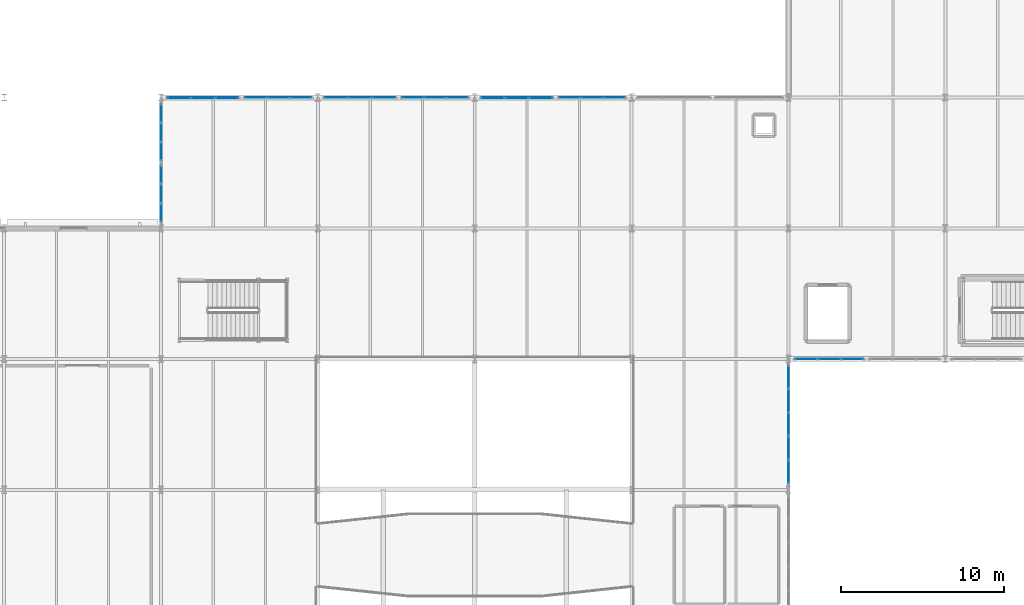
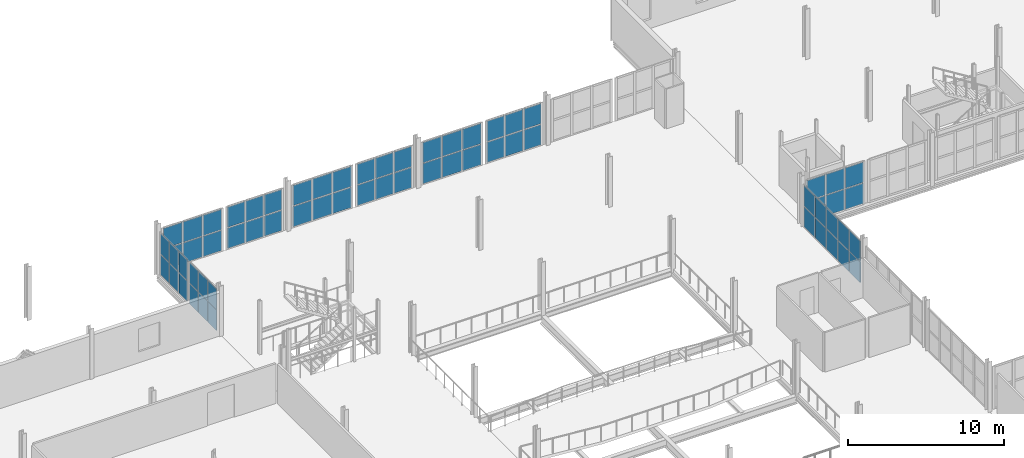
# One storey, part 61 of 85: 64 plates, 10 elements without a shape of their own.
"""IFC4 building model written with IfcOpenShell, lengths in metres."""

from ifc_helpers import new_model, si_unit, direction, frame, origin, origin_2d, place, context, subcontext, project, spatial, rectangle, extrude, material, layer, layer_set, type_object, element, aggregate, save


model = new_model("IFC4")

# Units and contexts
model_context = context("Model", 3, precision=1e-05, world=origin(), true_north=direction((0.0, 1.0)))
body_context = subcontext(model_context, "Body", "Model", "MODEL_VIEW")
ifc_project = project(units=[si_unit("LENGTHUNIT", "METRE"), si_unit("AREAUNIT", "SQUARE_METRE"), si_unit("VOLUMEUNIT", "CUBIC_METRE"), si_unit("PLANEANGLEUNIT", "RADIAN"), si_unit("MASSUNIT", "GRAM", prefix="KILO")], contexts=[model_context])

# Site, building, storey
site_placement = place(None, origin())
site = spatial("IfcSite", under=ifc_project, at=site_placement, CompositionType="ELEMENT")
building_placement = place(site_placement, origin())
building = spatial("IfcBuilding", under=site, at=building_placement, Name="Alderhovde Museum", CompositionType="ELEMENT")
storey_placement = place(building_placement, frame((0.0, 0.0, 8.699951171875)))
storey = spatial("IfcBuildingStorey", under=building, at=storey_placement, Name="L02", CompositionType="ELEMENT", Elevation=8.699951171875)

# Curtain wall, plates
ifc_material_1 = material(Name="Triple-Glazed Bronze-Anodised Curtain Wall", Category="glass")
ifc_layer_1 = layer(ifc_material_1, 0.179931640625)
ifc_layer_set_1 = layer_set([ifc_layer_1], Name="Triple-Glazed Bronze-Anodised Curtain Wall")
curtain_wall_type_1 = type_object("IfcCurtainWallType", Name="CW-UNIT-415x336", PredefinedType="USERDEFINED", material=ifc_layer_set_1)
curtain_wall_1_placement = place(storey_placement, origin())
curtain_wall_1 = element("IfcCurtainWall", 1, at=curtain_wall_1_placement, inside=storey, type_object=curtain_wall_type_1, Name="L02 Unitised Curtain Wall 28", ObjectType="UNITISED CURTAIN WALL", PredefinedType="USERDEFINED")
ifc_material_2 = material(Name="Triple-Glazed Low-E Laminated Glass", Category="glass")
ifc_layer_2 = layer(ifc_material_2, 0.028076171875)
ifc_layer_set_2 = layer_set([ifc_layer_2], Name="Triple-Glazed Low-E Laminated Glass")
plate_type_1 = type_object("IfcPlateType", Name="CWP-GLAZ-28", PredefinedType="CURTAIN_PANEL", material=ifc_layer_set_2)
plate_1_placement = place(storey_placement, frame((82.60791015625, 88.0, 0.06494140625), z_axis=(0.0, 0.0, 1.0), x_axis=(1.0, 0.0, 0.0)))
plate_1 = element("IfcPlate", 2, at=plate_1_placement, type_object=plate_type_1, Name="CW11 panel 1.1", PredefinedType="CURTAIN_PANEL", context=body_context, shape_type="SweptSolid", body=[
    extrude(rectangle(XDim=1.285888671875, YDim=0.028076171875, at=origin_2d()), origin(), (0.0, 0.0, 1.0), 1.58251953125),
])
plate_2_placement = place(storey_placement, frame((82.60791015625, 88.0, 1.712646484375), z_axis=(0.0, 0.0, 1.0), x_axis=(1.0, 0.0, 0.0)))
plate_2 = element("IfcPlate", 3, at=plate_2_placement, type_object=plate_type_1, Name="CW11 panel 1.2", PredefinedType="CURTAIN_PANEL", context=body_context, shape_type="SweptSolid", body=[
    extrude(rectangle(XDim=1.285888671875, YDim=0.028076171875, at=origin_2d()), origin(), (0.0, 0.0, 1.0), 1.58251953125),
])
plate_3_placement = place(storey_placement, frame((83.97509765625, 88.0, 0.06494140625), z_axis=(0.0, 0.0, 1.0), x_axis=(1.0, 0.0, 0.0)))
plate_3 = element("IfcPlate", 4, at=plate_3_placement, type_object=plate_type_1, Name="CW11 panel 2.1", PredefinedType="CURTAIN_PANEL", context=body_context, shape_type="SweptSolid", body=[
    extrude(rectangle(XDim=1.318359375, YDim=0.028076171875, at=origin_2d()), origin(), (0.0, 0.0, 1.0), 1.58251953125),
])
plate_4_placement = place(storey_placement, frame((83.97509765625, 88.0, 1.712646484375), z_axis=(0.0, 0.0, 1.0), x_axis=(1.0, 0.0, 0.0)))
plate_4 = element("IfcPlate", 5, at=plate_4_placement, type_object=plate_type_1, Name="CW11 panel 2.2", PredefinedType="CURTAIN_PANEL", context=body_context, shape_type="SweptSolid", body=[
    extrude(rectangle(XDim=1.318359375, YDim=0.028076171875, at=origin_2d()), origin(), (0.0, 0.0, 1.0), 1.58251953125),
])
plate_5_placement = place(storey_placement, frame((85.342041015625, 88.0, 0.06494140625), z_axis=(0.0, 0.0, 1.0), x_axis=(1.0, 0.0, 0.0)))
plate_5 = element("IfcPlate", 6, at=plate_5_placement, type_object=plate_type_1, Name="CW11 panel 3.1", PredefinedType="CURTAIN_PANEL", context=body_context, shape_type="SweptSolid", body=[
    extrude(rectangle(XDim=1.285888671875, YDim=0.028076171875, at=origin_2d()), origin(), (0.0, 0.0, 1.0), 1.58251953125),
])
plate_6_placement = place(storey_placement, frame((85.342041015625, 88.0, 1.712646484375), z_axis=(0.0, 0.0, 1.0), x_axis=(1.0, 0.0, 0.0)))
plate_6 = element("IfcPlate", 7, at=plate_6_placement, type_object=plate_type_1, Name="CW11 panel 3.2", PredefinedType="CURTAIN_PANEL", context=body_context, shape_type="SweptSolid", body=[
    extrude(rectangle(XDim=1.285888671875, YDim=0.028076171875, at=origin_2d()), origin(), (0.0, 0.0, 1.0), 1.58251953125),
])
aggregate(curtain_wall_1, [plate_1, plate_2, plate_3, plate_4, plate_5, plate_6])

curtain_wall_2_placement = place(storey_placement, origin())
curtain_wall_2 = element("IfcCurtainWall", 8, at=curtain_wall_2_placement, inside=storey, type_object=curtain_wall_type_1, Name="L02 Unitised Curtain Wall 32", ObjectType="UNITISED CURTAIN WALL", PredefinedType="USERDEFINED")
plate_7_placement = place(storey_placement, frame((101.807861328125, 88.0, 0.06494140625), z_axis=(0.0, 0.0, 1.0), x_axis=(1.0, 0.0, 0.0)))
plate_7 = element("IfcPlate", 9, at=plate_7_placement, type_object=plate_type_1, Name="CW11 panel 1.1", PredefinedType="CURTAIN_PANEL", context=body_context, shape_type="SweptSolid", body=[
    extrude(rectangle(XDim=1.285888671875, YDim=0.028076171875, at=origin_2d()), origin(), (0.0, 0.0, 1.0), 1.58251953125),
])
plate_8_placement = place(storey_placement, frame((101.807861328125, 88.0, 1.712646484375), z_axis=(0.0, 0.0, 1.0), x_axis=(1.0, 0.0, 0.0)))
plate_8 = element("IfcPlate", 10, at=plate_8_placement, type_object=plate_type_1, Name="CW11 panel 1.2", PredefinedType="CURTAIN_PANEL", context=body_context, shape_type="SweptSolid", body=[
    extrude(rectangle(XDim=1.285888671875, YDim=0.028076171875, at=origin_2d()), origin(), (0.0, 0.0, 1.0), 1.58251953125),
])
plate_9_placement = place(storey_placement, frame((103.175048828125, 88.0, 0.06494140625), z_axis=(0.0, 0.0, 1.0), x_axis=(1.0, 0.0, 0.0)))
plate_9 = element("IfcPlate", 11, at=plate_9_placement, type_object=plate_type_1, Name="CW11 panel 2.1", PredefinedType="CURTAIN_PANEL", context=body_context, shape_type="SweptSolid", body=[
    extrude(rectangle(XDim=1.318359375, YDim=0.028076171875, at=origin_2d()), origin(), (0.0, 0.0, 1.0), 1.58251953125),
])
plate_10_placement = place(storey_placement, frame((103.175048828125, 88.0, 1.712646484375), z_axis=(0.0, 0.0, 1.0), x_axis=(1.0, 0.0, 0.0)))
plate_10 = element("IfcPlate", 12, at=plate_10_placement, type_object=plate_type_1, Name="CW11 panel 2.2", PredefinedType="CURTAIN_PANEL", context=body_context, shape_type="SweptSolid", body=[
    extrude(rectangle(XDim=1.318359375, YDim=0.028076171875, at=origin_2d()), origin(), (0.0, 0.0, 1.0), 1.58251953125),
])
plate_11_placement = place(storey_placement, frame((104.5419921875, 88.0, 0.06494140625), z_axis=(0.0, 0.0, 1.0), x_axis=(1.0, 0.0, 0.0)))
plate_11 = element("IfcPlate", 13, at=plate_11_placement, type_object=plate_type_1, Name="CW11 panel 3.1", PredefinedType="CURTAIN_PANEL", context=body_context, shape_type="SweptSolid", body=[
    extrude(rectangle(XDim=1.285888671875, YDim=0.028076171875, at=origin_2d()), origin(), (0.0, 0.0, 1.0), 1.58251953125),
])
plate_12_placement = place(storey_placement, frame((104.5419921875, 88.0, 1.712646484375), z_axis=(0.0, 0.0, 1.0), x_axis=(1.0, 0.0, 0.0)))
plate_12 = element("IfcPlate", 14, at=plate_12_placement, type_object=plate_type_1, Name="CW11 panel 3.2", PredefinedType="CURTAIN_PANEL", context=body_context, shape_type="SweptSolid", body=[
    extrude(rectangle(XDim=1.285888671875, YDim=0.028076171875, at=origin_2d()), origin(), (0.0, 0.0, 1.0), 1.58251953125),
])
aggregate(curtain_wall_2, [plate_7, plate_8, plate_9, plate_10, plate_11, plate_12])

ifc_material_3 = material(Name="Triple-Glazed Bronze-Anodised Curtain Wall", Category="glass")
ifc_layer_3 = layer(ifc_material_3, 0.179931640625)
ifc_layer_set_3 = layer_set([ifc_layer_3], Name="Triple-Glazed Bronze-Anodised Curtain Wall")
curtain_wall_type_2 = type_object("IfcCurtainWallType", Name="CW-STIC-355x336", PredefinedType="USERDEFINED", material=ifc_layer_set_3)
curtain_wall_3_placement = place(storey_placement, origin())
curtain_wall_3 = element("IfcCurtainWall", 15, at=curtain_wall_3_placement, inside=storey, type_object=curtain_wall_type_2, Name="L02 Stick Curtain Wall 44", ObjectType="STICK CURTAIN WALL", PredefinedType="USERDEFINED")
plate_13_placement = place(storey_placement, frame((76.800048828125, 84.7080078125, 0.06494140625), z_axis=(0.0, 0.0, 1.0), x_axis=(0.0, 1.0, 0.0)))
plate_13 = element("IfcPlate", 16, at=plate_13_placement, type_object=plate_type_1, Name="CW13 panel 1.1", PredefinedType="CURTAIN_PANEL", context=body_context, shape_type="SweptSolid", body=[
    extrude(rectangle(XDim=1.0859375, YDim=0.028076171875, at=origin_2d()), origin(), (0.0, 0.0, 1.0), 1.58251953125),
])
plate_14_placement = place(storey_placement, frame((76.800048828125, 84.7080078125, 1.712646484375), z_axis=(0.0, 0.0, 1.0), x_axis=(0.0, 1.0, 0.0)))
plate_14 = element("IfcPlate", 17, at=plate_14_placement, type_object=plate_type_1, Name="CW13 panel 1.2", PredefinedType="CURTAIN_PANEL", context=body_context, shape_type="SweptSolid", body=[
    extrude(rectangle(XDim=1.0859375, YDim=0.028076171875, at=origin_2d()), origin(), (0.0, 0.0, 1.0), 1.58251953125),
])
plate_15_placement = place(storey_placement, frame((76.800048828125, 85.875, 0.06494140625), z_axis=(0.0, 0.0, 1.0), x_axis=(0.0, 1.0, 0.0)))
plate_15 = element("IfcPlate", 18, at=plate_15_placement, type_object=plate_type_1, Name="CW13 panel 2.1", PredefinedType="CURTAIN_PANEL", context=body_context, shape_type="SweptSolid", body=[
    extrude(rectangle(XDim=1.118408203125, YDim=0.028076171875, at=origin_2d()), origin(), (0.0, 0.0, 1.0), 1.58251953125),
])
plate_16_placement = place(storey_placement, frame((76.800048828125, 85.875, 1.712646484375), z_axis=(0.0, 0.0, 1.0), x_axis=(0.0, 1.0, 0.0)))
plate_16 = element("IfcPlate", 19, at=plate_16_placement, type_object=plate_type_1, Name="CW13 panel 2.2", PredefinedType="CURTAIN_PANEL", context=body_context, shape_type="SweptSolid", body=[
    extrude(rectangle(XDim=1.118408203125, YDim=0.028076171875, at=origin_2d()), origin(), (0.0, 0.0, 1.0), 1.58251953125),
])
plate_17_placement = place(storey_placement, frame((76.800048828125, 87.0419921875, 0.06494140625), z_axis=(0.0, 0.0, 1.0), x_axis=(0.0, 1.0, 0.0)))
plate_17 = element("IfcPlate", 20, at=plate_17_placement, type_object=plate_type_1, Name="CW13 panel 3.1", PredefinedType="CURTAIN_PANEL", context=body_context, shape_type="SweptSolid", body=[
    extrude(rectangle(XDim=1.0859375, YDim=0.028076171875, at=origin_2d()), origin(), (0.0, 0.0, 1.0), 1.58251953125),
])
plate_18_placement = place(storey_placement, frame((76.800048828125, 87.0419921875, 1.712646484375), z_axis=(0.0, 0.0, 1.0), x_axis=(0.0, 1.0, 0.0)))
plate_18 = element("IfcPlate", 21, at=plate_18_placement, type_object=plate_type_1, Name="CW13 panel 3.2", PredefinedType="CURTAIN_PANEL", context=body_context, shape_type="SweptSolid", body=[
    extrude(rectangle(XDim=1.0859375, YDim=0.028076171875, at=origin_2d()), origin(), (0.0, 0.0, 1.0), 1.58251953125),
])
aggregate(curtain_wall_3, [plate_13, plate_14, plate_15, plate_16, plate_17, plate_18])

ifc_material_4 = material(Name="Triple-Glazed Bronze-Anodised Curtain Wall", Category="glass")
ifc_layer_4 = layer(ifc_material_4, 0.179931640625)
ifc_layer_set_4 = layer_set([ifc_layer_4], Name="Triple-Glazed Bronze-Anodised Curtain Wall")
curtain_wall_type_3 = type_object("IfcCurtainWallType", Name="CW-UNIT-445x336", PredefinedType="USERDEFINED", material=ifc_layer_set_4)
curtain_wall_4_placement = place(storey_placement, origin())
curtain_wall_4 = element("IfcCurtainWall", 22, at=curtain_wall_4_placement, inside=storey, type_object=curtain_wall_type_3, Name="L02 Unitised Curtain Wall 29", ObjectType="UNITISED CURTAIN WALL", PredefinedType="USERDEFINED")
ifc_material_5 = material(Name="Triple-Glazed Low-E Laminated Glass", Category="glass")
ifc_layer_5 = layer(ifc_material_5, 0.035888671875)
ifc_layer_set_5 = layer_set([ifc_layer_5], Name="Triple-Glazed Low-E Laminated Glass")
plate_type_2 = type_object("IfcPlateType", Name="CWP-GLAZ-36", PredefinedType="CURTAIN_PANEL", material=ifc_layer_set_5)
plate_19_placement = place(storey_placement, frame((87.5078125, 88.0, 0.06494140625), z_axis=(0.0, 0.0, 1.0), x_axis=(1.0, 0.0, 0.0)))
plate_19 = element("IfcPlate", 23, at=plate_19_placement, type_object=plate_type_2, Name="CW10 panel 1.1", PredefinedType="CURTAIN_PANEL", context=body_context, shape_type="SweptSolid", body=[
    extrude(rectangle(XDim=1.3857421875, YDim=0.035888671875, at=origin_2d()), origin(), (0.0, 0.0, 1.0), 1.58251953125),
])
plate_20_placement = place(storey_placement, frame((87.5078125, 88.0, 1.712646484375), z_axis=(0.0, 0.0, 1.0), x_axis=(1.0, 0.0, 0.0)))
plate_20 = element("IfcPlate", 24, at=plate_20_placement, type_object=plate_type_2, Name="CW10 panel 1.2", PredefinedType="CURTAIN_PANEL", context=body_context, shape_type="SweptSolid", body=[
    extrude(rectangle(XDim=1.3857421875, YDim=0.035888671875, at=origin_2d()), origin(), (0.0, 0.0, 1.0), 1.58251953125),
])
plate_21_placement = place(storey_placement, frame((88.97509765625, 88.0, 0.06494140625), z_axis=(0.0, 0.0, 1.0), x_axis=(1.0, 0.0, 0.0)))
plate_21 = element("IfcPlate", 25, at=plate_21_placement, type_object=plate_type_2, Name="CW10 panel 2.1", PredefinedType="CURTAIN_PANEL", context=body_context, shape_type="SweptSolid", body=[
    extrude(rectangle(XDim=1.418212890625, YDim=0.035888671875, at=origin_2d()), origin(), (0.0, 0.0, 1.0), 1.58251953125),
])
plate_22_placement = place(storey_placement, frame((88.97509765625, 88.0, 1.712646484375), z_axis=(0.0, 0.0, 1.0), x_axis=(1.0, 0.0, 0.0)))
plate_22 = element("IfcPlate", 26, at=plate_22_placement, type_object=plate_type_2, Name="CW10 panel 2.2", PredefinedType="CURTAIN_PANEL", context=body_context, shape_type="SweptSolid", body=[
    extrude(rectangle(XDim=1.418212890625, YDim=0.035888671875, at=origin_2d()), origin(), (0.0, 0.0, 1.0), 1.58251953125),
])
plate_23_placement = place(storey_placement, frame((90.442138671875, 88.0, 0.06494140625), z_axis=(0.0, 0.0, 1.0), x_axis=(1.0, 0.0, 0.0)))
plate_23 = element("IfcPlate", 27, at=plate_23_placement, type_object=plate_type_2, Name="CW10 panel 3.1", PredefinedType="CURTAIN_PANEL", context=body_context, shape_type="SweptSolid", body=[
    extrude(rectangle(XDim=1.3857421875, YDim=0.035888671875, at=origin_2d()), origin(), (0.0, 0.0, 1.0), 1.58251953125),
])
plate_24_placement = place(storey_placement, frame((90.442138671875, 88.0, 1.712646484375), z_axis=(0.0, 0.0, 1.0), x_axis=(1.0, 0.0, 0.0)))
plate_24 = element("IfcPlate", 28, at=plate_24_placement, type_object=plate_type_2, Name="CW10 panel 3.2", PredefinedType="CURTAIN_PANEL", context=body_context, shape_type="SweptSolid", body=[
    extrude(rectangle(XDim=1.3857421875, YDim=0.035888671875, at=origin_2d()), origin(), (0.0, 0.0, 1.0), 1.58251953125),
])
aggregate(curtain_wall_4, [plate_19, plate_20, plate_21, plate_22, plate_23, plate_24])

curtain_wall_5_placement = place(storey_placement, origin())
curtain_wall_5 = element("IfcCurtainWall", 29, at=curtain_wall_5_placement, inside=storey, type_object=curtain_wall_type_1, Name="L02 Unitised Curtain Wall 30", ObjectType="UNITISED CURTAIN WALL", PredefinedType="USERDEFINED")
ifc_material_6 = material(Name="Triple-Glazed Low-E Laminated Glass", Category="glass")
ifc_layer_6 = layer(ifc_material_6, 0.0439453125)
ifc_layer_set_6 = layer_set([ifc_layer_6], Name="Triple-Glazed Low-E Laminated Glass")
plate_type_3 = type_object("IfcPlateType", Name="CWP-GLAZ-44", PredefinedType="CURTAIN_PANEL", material=ifc_layer_set_6)
plate_25_placement = place(storey_placement, frame((92.2080078125, 88.0, 0.06494140625), z_axis=(0.0, 0.0, 1.0), x_axis=(1.0, 0.0, 0.0)))
plate_25 = element("IfcPlate", 30, at=plate_25_placement, type_object=plate_type_3, Name="CW11 panel 1.1", PredefinedType="CURTAIN_PANEL", context=body_context, shape_type="SweptSolid", body=[
    extrude(rectangle(XDim=1.285888671875, YDim=0.0439453125, at=origin_2d()), origin(), (0.0, 0.0, 1.0), 1.58251953125),
])
plate_26_placement = place(storey_placement, frame((92.2080078125, 88.0, 1.712646484375), z_axis=(0.0, 0.0, 1.0), x_axis=(1.0, 0.0, 0.0)))
plate_26 = element("IfcPlate", 31, at=plate_26_placement, type_object=plate_type_3, Name="CW11 panel 1.2", PredefinedType="CURTAIN_PANEL", context=body_context, shape_type="SweptSolid", body=[
    extrude(rectangle(XDim=1.285888671875, YDim=0.0439453125, at=origin_2d()), origin(), (0.0, 0.0, 1.0), 1.58251953125),
])
plate_27_placement = place(storey_placement, frame((93.574951171875, 88.0, 0.06494140625), z_axis=(0.0, 0.0, 1.0), x_axis=(1.0, 0.0, 0.0)))
plate_27 = element("IfcPlate", 32, at=plate_27_placement, type_object=plate_type_3, Name="CW11 panel 2.1", PredefinedType="CURTAIN_PANEL", context=body_context, shape_type="SweptSolid", body=[
    extrude(rectangle(XDim=1.318359375, YDim=0.0439453125, at=origin_2d()), origin(), (0.0, 0.0, 1.0), 1.58251953125),
])
plate_28_placement = place(storey_placement, frame((93.574951171875, 88.0, 1.712646484375), z_axis=(0.0, 0.0, 1.0), x_axis=(1.0, 0.0, 0.0)))
plate_28 = element("IfcPlate", 33, at=plate_28_placement, type_object=plate_type_3, Name="CW11 panel 2.2", PredefinedType="CURTAIN_PANEL", context=body_context, shape_type="SweptSolid", body=[
    extrude(rectangle(XDim=1.318359375, YDim=0.0439453125, at=origin_2d()), origin(), (0.0, 0.0, 1.0), 1.58251953125),
])
plate_29_placement = place(storey_placement, frame((94.942138671875, 88.0, 0.06494140625), z_axis=(0.0, 0.0, 1.0), x_axis=(1.0, 0.0, 0.0)))
plate_29 = element("IfcPlate", 34, at=plate_29_placement, type_object=plate_type_3, Name="CW11 panel 3.1", PredefinedType="CURTAIN_PANEL", context=body_context, shape_type="SweptSolid", body=[
    extrude(rectangle(XDim=1.285888671875, YDim=0.0439453125, at=origin_2d()), origin(), (0.0, 0.0, 1.0), 1.58251953125),
])
plate_30_placement = place(storey_placement, frame((94.942138671875, 88.0, 1.712646484375), z_axis=(0.0, 0.0, 1.0), x_axis=(1.0, 0.0, 0.0)))
plate_30 = element("IfcPlate", 35, at=plate_30_placement, type_object=plate_type_3, Name="CW11 panel 3.2", PredefinedType="CURTAIN_PANEL", context=body_context, shape_type="SweptSolid", body=[
    extrude(rectangle(XDim=1.285888671875, YDim=0.0439453125, at=origin_2d()), origin(), (0.0, 0.0, 1.0), 1.58251953125),
])
aggregate(curtain_wall_5, [plate_25, plate_26, plate_27, plate_28, plate_29, plate_30])

curtain_wall_6_placement = place(storey_placement, origin())
curtain_wall_6 = element("IfcCurtainWall", 36, at=curtain_wall_6_placement, inside=storey, type_object=curtain_wall_type_3, Name="L02 Unitised Curtain Wall 27", ObjectType="UNITISED CURTAIN WALL", PredefinedType="USERDEFINED")
ifc_material_7 = material(Name="Triple-Glazed Low-E Laminated Glass", Category="glass")
ifc_layer_7 = layer(ifc_material_7, 0.052001953125)
ifc_layer_set_7 = layer_set([ifc_layer_7], Name="Triple-Glazed Low-E Laminated Glass")
plate_type_4 = type_object("IfcPlateType", Name="CWP-GLAZ-52", PredefinedType="CURTAIN_PANEL", material=ifc_layer_set_7)
plate_31_placement = place(storey_placement, frame((77.907958984375, 88.0, 0.06494140625), z_axis=(0.0, 0.0, 1.0), x_axis=(1.0, 0.0, 0.0)))
plate_31 = element("IfcPlate", 37, at=plate_31_placement, type_object=plate_type_4, Name="CW10 panel 1.1", PredefinedType="CURTAIN_PANEL", context=body_context, shape_type="SweptSolid", body=[
    extrude(rectangle(XDim=1.3857421875, YDim=0.052001953125, at=origin_2d()), origin(), (0.0, 0.0, 1.0), 1.58251953125),
])
plate_32_placement = place(storey_placement, frame((77.907958984375, 88.0, 1.712646484375), z_axis=(0.0, 0.0, 1.0), x_axis=(1.0, 0.0, 0.0)))
plate_32 = element("IfcPlate", 38, at=plate_32_placement, type_object=plate_type_4, Name="CW10 panel 1.2", PredefinedType="CURTAIN_PANEL", context=body_context, shape_type="SweptSolid", body=[
    extrude(rectangle(XDim=1.3857421875, YDim=0.052001953125, at=origin_2d()), origin(), (0.0, 0.0, 1.0), 1.58251953125),
])
plate_33_placement = place(storey_placement, frame((79.375, 88.0, 0.06494140625), z_axis=(0.0, 0.0, 1.0), x_axis=(1.0, 0.0, 0.0)))
plate_33 = element("IfcPlate", 39, at=plate_33_placement, type_object=plate_type_4, Name="CW10 panel 2.1", PredefinedType="CURTAIN_PANEL", context=body_context, shape_type="SweptSolid", body=[
    extrude(rectangle(XDim=1.418212890625, YDim=0.052001953125, at=origin_2d()), origin(), (0.0, 0.0, 1.0), 1.58251953125),
])
plate_34_placement = place(storey_placement, frame((79.375, 88.0, 1.712646484375), z_axis=(0.0, 0.0, 1.0), x_axis=(1.0, 0.0, 0.0)))
plate_34 = element("IfcPlate", 40, at=plate_34_placement, type_object=plate_type_4, Name="CW10 panel 2.2", PredefinedType="CURTAIN_PANEL", context=body_context, shape_type="SweptSolid", body=[
    extrude(rectangle(XDim=1.418212890625, YDim=0.052001953125, at=origin_2d()), origin(), (0.0, 0.0, 1.0), 1.58251953125),
])
plate_35_placement = place(storey_placement, frame((80.842041015625, 88.0, 0.06494140625), z_axis=(0.0, 0.0, 1.0), x_axis=(1.0, 0.0, 0.0)))
plate_35 = element("IfcPlate", 41, at=plate_35_placement, type_object=plate_type_4, Name="CW10 panel 3.1", PredefinedType="CURTAIN_PANEL", context=body_context, shape_type="SweptSolid", body=[
    extrude(rectangle(XDim=1.3857421875, YDim=0.052001953125, at=origin_2d()), origin(), (0.0, 0.0, 1.0), 1.58251953125),
])
plate_36_placement = place(storey_placement, frame((80.842041015625, 88.0, 1.712646484375), z_axis=(0.0, 0.0, 1.0), x_axis=(1.0, 0.0, 0.0)))
plate_36 = element("IfcPlate", 42, at=plate_36_placement, type_object=plate_type_4, Name="CW10 panel 3.2", PredefinedType="CURTAIN_PANEL", context=body_context, shape_type="SweptSolid", body=[
    extrude(rectangle(XDim=1.3857421875, YDim=0.052001953125, at=origin_2d()), origin(), (0.0, 0.0, 1.0), 1.58251953125),
])
aggregate(curtain_wall_6, [plate_31, plate_32, plate_33, plate_34, plate_35, plate_36])

curtain_wall_7_placement = place(storey_placement, origin())
curtain_wall_7 = element("IfcCurtainWall", 43, at=curtain_wall_7_placement, inside=storey, type_object=curtain_wall_type_3, Name="L02 Unitised Curtain Wall 31", ObjectType="UNITISED CURTAIN WALL", PredefinedType="USERDEFINED")
plate_37_placement = place(storey_placement, frame((97.10791015625, 88.0, 0.06494140625), z_axis=(0.0, 0.0, 1.0), x_axis=(1.0, 0.0, 0.0)))
plate_37 = element("IfcPlate", 44, at=plate_37_placement, type_object=plate_type_4, Name="CW10 panel 1.1", PredefinedType="CURTAIN_PANEL", context=body_context, shape_type="SweptSolid", body=[
    extrude(rectangle(XDim=1.3857421875, YDim=0.052001953125, at=origin_2d()), origin(), (0.0, 0.0, 1.0), 1.58251953125),
])
plate_38_placement = place(storey_placement, frame((97.10791015625, 88.0, 1.712646484375), z_axis=(0.0, 0.0, 1.0), x_axis=(1.0, 0.0, 0.0)))
plate_38 = element("IfcPlate", 45, at=plate_38_placement, type_object=plate_type_4, Name="CW10 panel 1.2", PredefinedType="CURTAIN_PANEL", context=body_context, shape_type="SweptSolid", body=[
    extrude(rectangle(XDim=1.3857421875, YDim=0.052001953125, at=origin_2d()), origin(), (0.0, 0.0, 1.0), 1.58251953125),
])
plate_39_placement = place(storey_placement, frame((98.574951171875, 88.0, 0.06494140625), z_axis=(0.0, 0.0, 1.0), x_axis=(1.0, 0.0, 0.0)))
plate_39 = element("IfcPlate", 46, at=plate_39_placement, type_object=plate_type_4, Name="CW10 panel 2.1", PredefinedType="CURTAIN_PANEL", context=body_context, shape_type="SweptSolid", body=[
    extrude(rectangle(XDim=1.418212890625, YDim=0.052001953125, at=origin_2d()), origin(), (0.0, 0.0, 1.0), 1.58251953125),
])
plate_40_placement = place(storey_placement, frame((98.574951171875, 88.0, 1.712646484375), z_axis=(0.0, 0.0, 1.0), x_axis=(1.0, 0.0, 0.0)))
plate_40 = element("IfcPlate", 47, at=plate_40_placement, type_object=plate_type_4, Name="CW10 panel 2.2", PredefinedType="CURTAIN_PANEL", context=body_context, shape_type="SweptSolid", body=[
    extrude(rectangle(XDim=1.418212890625, YDim=0.052001953125, at=origin_2d()), origin(), (0.0, 0.0, 1.0), 1.58251953125),
])
plate_41_placement = place(storey_placement, frame((100.0419921875, 88.0, 0.06494140625), z_axis=(0.0, 0.0, 1.0), x_axis=(1.0, 0.0, 0.0)))
plate_41 = element("IfcPlate", 48, at=plate_41_placement, type_object=plate_type_4, Name="CW10 panel 3.1", PredefinedType="CURTAIN_PANEL", context=body_context, shape_type="SweptSolid", body=[
    extrude(rectangle(XDim=1.3857421875, YDim=0.052001953125, at=origin_2d()), origin(), (0.0, 0.0, 1.0), 1.58251953125),
])
plate_42_placement = place(storey_placement, frame((100.0419921875, 88.0, 1.712646484375), z_axis=(0.0, 0.0, 1.0), x_axis=(1.0, 0.0, 0.0)))
plate_42 = element("IfcPlate", 49, at=plate_42_placement, type_object=plate_type_4, Name="CW10 panel 3.2", PredefinedType="CURTAIN_PANEL", context=body_context, shape_type="SweptSolid", body=[
    extrude(rectangle(XDim=1.3857421875, YDim=0.052001953125, at=origin_2d()), origin(), (0.0, 0.0, 1.0), 1.58251953125),
])
aggregate(curtain_wall_7, [plate_37, plate_38, plate_39, plate_40, plate_41, plate_42])

curtain_wall_8_placement = place(storey_placement, origin())
curtain_wall_8 = element("IfcCurtainWall", 50, at=curtain_wall_8_placement, inside=storey, type_object=curtain_wall_type_2, Name="L02 Stick Curtain Wall 43", ObjectType="STICK CURTAIN WALL", PredefinedType="USERDEFINED")
plate_43_placement = place(storey_placement, frame((76.800048828125, 80.9580078125, 0.06494140625), z_axis=(0.0, 0.0, 1.0), x_axis=(0.0, 1.0, 0.0)))
plate_43 = element("IfcPlate", 51, at=plate_43_placement, type_object=plate_type_4, Name="CW13 panel 1.1", PredefinedType="CURTAIN_PANEL", context=body_context, shape_type="SweptSolid", body=[
    extrude(rectangle(XDim=1.0859375, YDim=0.052001953125, at=origin_2d()), origin(), (0.0, 0.0, 1.0), 1.58251953125),
])
plate_44_placement = place(storey_placement, frame((76.800048828125, 80.9580078125, 1.712646484375), z_axis=(0.0, 0.0, 1.0), x_axis=(0.0, 1.0, 0.0)))
plate_44 = element("IfcPlate", 52, at=plate_44_placement, type_object=plate_type_4, Name="CW13 panel 1.2", PredefinedType="CURTAIN_PANEL", context=body_context, shape_type="SweptSolid", body=[
    extrude(rectangle(XDim=1.0859375, YDim=0.052001953125, at=origin_2d()), origin(), (0.0, 0.0, 1.0), 1.58251953125),
])
plate_45_placement = place(storey_placement, frame((76.800048828125, 82.125, 0.06494140625), z_axis=(0.0, 0.0, 1.0), x_axis=(0.0, 1.0, 0.0)))
plate_45 = element("IfcPlate", 53, at=plate_45_placement, type_object=plate_type_4, Name="CW13 panel 2.1", PredefinedType="CURTAIN_PANEL", context=body_context, shape_type="SweptSolid", body=[
    extrude(rectangle(XDim=1.118408203125, YDim=0.052001953125, at=origin_2d()), origin(), (0.0, 0.0, 1.0), 1.58251953125),
])
plate_46_placement = place(storey_placement, frame((76.800048828125, 82.125, 1.712646484375), z_axis=(0.0, 0.0, 1.0), x_axis=(0.0, 1.0, 0.0)))
plate_46 = element("IfcPlate", 54, at=plate_46_placement, type_object=plate_type_4, Name="CW13 panel 2.2", PredefinedType="CURTAIN_PANEL", context=body_context, shape_type="SweptSolid", body=[
    extrude(rectangle(XDim=1.118408203125, YDim=0.052001953125, at=origin_2d()), origin(), (0.0, 0.0, 1.0), 1.58251953125),
])
plate_47_placement = place(storey_placement, frame((76.800048828125, 83.2919921875, 0.06494140625), z_axis=(0.0, 0.0, 1.0), x_axis=(0.0, 1.0, 0.0)))
plate_47 = element("IfcPlate", 55, at=plate_47_placement, type_object=plate_type_4, Name="CW13 panel 3.1", PredefinedType="CURTAIN_PANEL", context=body_context, shape_type="SweptSolid", body=[
    extrude(rectangle(XDim=1.0859375, YDim=0.052001953125, at=origin_2d()), origin(), (0.0, 0.0, 1.0), 1.58251953125),
])
plate_48_placement = place(storey_placement, frame((76.800048828125, 83.2919921875, 1.712646484375), z_axis=(0.0, 0.0, 1.0), x_axis=(0.0, 1.0, 0.0)))
plate_48 = element("IfcPlate", 56, at=plate_48_placement, type_object=plate_type_4, Name="CW13 panel 3.2", PredefinedType="CURTAIN_PANEL", context=body_context, shape_type="SweptSolid", body=[
    extrude(rectangle(XDim=1.0859375, YDim=0.052001953125, at=origin_2d()), origin(), (0.0, 0.0, 1.0), 1.58251953125),
])
aggregate(curtain_wall_8, [plate_43, plate_44, plate_45, plate_46, plate_47, plate_48])

ifc_material_8 = material(Name="Triple-Glazed Bronze-Anodised Curtain Wall", Category="glass")
ifc_layer_8 = layer(ifc_material_8, 0.179931640625)
ifc_layer_set_8 = layer_set([ifc_layer_8], Name="Triple-Glazed Bronze-Anodised Curtain Wall")
curtain_wall_type_4 = type_object("IfcCurtainWallType", Name="CW-UNIT-730x336", PredefinedType="USERDEFINED", material=ifc_layer_set_8)
curtain_wall_9_placement = place(storey_placement, origin())
curtain_wall_9 = element("IfcCurtainWall", 57, at=curtain_wall_9_placement, inside=storey, type_object=curtain_wall_type_4, Name="L02 Unitised Curtain Wall 47", ObjectType="UNITISED CURTAIN WALL", PredefinedType="USERDEFINED")
plate_49_placement = place(storey_placement, frame((115.199951171875, 65.09619140625, 0.06494140625), z_axis=(0.0, 0.0, 1.0), x_axis=(0.0, 1.0, 0.0)))
plate_49 = element("IfcPlate", 58, at=plate_49_placement, type_object=plate_type_4, Name="CW14 panel 1.1", PredefinedType="CURTAIN_PANEL", context=body_context, shape_type="SweptSolid", body=[
    extrude(rectangle(XDim=1.362548828125, YDim=0.052001953125, at=origin_2d()), origin(), (0.0, 0.0, 1.0), 1.58251953125),
])
plate_50_placement = place(storey_placement, frame((115.199951171875, 65.09619140625, 1.712646484375), z_axis=(0.0, 0.0, 1.0), x_axis=(0.0, 1.0, 0.0)))
plate_50 = element("IfcPlate", 59, at=plate_50_placement, type_object=plate_type_4, Name="CW14 panel 1.2", PredefinedType="CURTAIN_PANEL", context=body_context, shape_type="SweptSolid", body=[
    extrude(rectangle(XDim=1.362548828125, YDim=0.052001953125, at=origin_2d()), origin(), (0.0, 0.0, 1.0), 1.58251953125),
])
plate_51_placement = place(storey_placement, frame((115.199951171875, 66.5400390625, 0.06494140625), z_axis=(0.0, 0.0, 1.0), x_axis=(0.0, 1.0, 0.0)))
plate_51 = element("IfcPlate", 60, at=plate_51_placement, type_object=plate_type_4, Name="CW14 panel 2.1", PredefinedType="CURTAIN_PANEL", context=body_context, shape_type="SweptSolid", body=[
    extrude(rectangle(XDim=1.39501953125, YDim=0.052001953125, at=origin_2d()), origin(), (0.0, 0.0, 1.0), 1.58251953125),
])
plate_52_placement = place(storey_placement, frame((115.199951171875, 66.5400390625, 1.712646484375), z_axis=(0.0, 0.0, 1.0), x_axis=(0.0, 1.0, 0.0)))
plate_52 = element("IfcPlate", 61, at=plate_52_placement, type_object=plate_type_4, Name="CW14 panel 2.2", PredefinedType="CURTAIN_PANEL", context=body_context, shape_type="SweptSolid", body=[
    extrude(rectangle(XDim=1.39501953125, YDim=0.052001953125, at=origin_2d()), origin(), (0.0, 0.0, 1.0), 1.58251953125),
])
plate_53_placement = place(storey_placement, frame((115.199951171875, 68.0, 0.06494140625), z_axis=(0.0, 0.0, 1.0), x_axis=(0.0, 1.0, 0.0)))
plate_53 = element("IfcPlate", 62, at=plate_53_placement, type_object=plate_type_4, Name="CW14 panel 3.1", PredefinedType="CURTAIN_PANEL", context=body_context, shape_type="SweptSolid", body=[
    extrude(rectangle(XDim=1.39501953125, YDim=0.052001953125, at=origin_2d()), origin(), (0.0, 0.0, 1.0), 1.58251953125),
])
plate_54_placement = place(storey_placement, frame((115.199951171875, 68.0, 1.712646484375), z_axis=(0.0, 0.0, 1.0), x_axis=(0.0, 1.0, 0.0)))
plate_54 = element("IfcPlate", 63, at=plate_54_placement, type_object=plate_type_4, Name="CW14 panel 3.2", PredefinedType="CURTAIN_PANEL", context=body_context, shape_type="SweptSolid", body=[
    extrude(rectangle(XDim=1.39501953125, YDim=0.052001953125, at=origin_2d()), origin(), (0.0, 0.0, 1.0), 1.58251953125),
])
plate_55_placement = place(storey_placement, frame((115.199951171875, 69.4599609375, 0.06494140625), z_axis=(0.0, 0.0, 1.0), x_axis=(0.0, 1.0, 0.0)))
plate_55 = element("IfcPlate", 64, at=plate_55_placement, type_object=plate_type_4, Name="CW14 panel 4.1", PredefinedType="CURTAIN_PANEL", context=body_context, shape_type="SweptSolid", body=[
    extrude(rectangle(XDim=1.39501953125, YDim=0.052001953125, at=origin_2d()), origin(), (0.0, 0.0, 1.0), 1.58251953125),
])
plate_56_placement = place(storey_placement, frame((115.199951171875, 69.4599609375, 1.712646484375), z_axis=(0.0, 0.0, 1.0), x_axis=(0.0, 1.0, 0.0)))
plate_56 = element("IfcPlate", 65, at=plate_56_placement, type_object=plate_type_4, Name="CW14 panel 4.2", PredefinedType="CURTAIN_PANEL", context=body_context, shape_type="SweptSolid", body=[
    extrude(rectangle(XDim=1.39501953125, YDim=0.052001953125, at=origin_2d()), origin(), (0.0, 0.0, 1.0), 1.58251953125),
])
plate_57_placement = place(storey_placement, frame((115.199951171875, 70.90380859375, 0.06494140625), z_axis=(0.0, 0.0, 1.0), x_axis=(0.0, 1.0, 0.0)))
plate_57 = element("IfcPlate", 66, at=plate_57_placement, type_object=plate_type_4, Name="CW14 panel 5.1", PredefinedType="CURTAIN_PANEL", context=body_context, shape_type="SweptSolid", body=[
    extrude(rectangle(XDim=1.362548828125, YDim=0.052001953125, at=origin_2d()), origin(), (0.0, 0.0, 1.0), 1.58251953125),
])
plate_58_placement = place(storey_placement, frame((115.199951171875, 70.90380859375, 1.712646484375), z_axis=(0.0, 0.0, 1.0), x_axis=(0.0, 1.0, 0.0)))
plate_58 = element("IfcPlate", 67, at=plate_58_placement, type_object=plate_type_4, Name="CW14 panel 5.2", PredefinedType="CURTAIN_PANEL", context=body_context, shape_type="SweptSolid", body=[
    extrude(rectangle(XDim=1.362548828125, YDim=0.052001953125, at=origin_2d()), origin(), (0.0, 0.0, 1.0), 1.58251953125),
])
aggregate(curtain_wall_9, [plate_49, plate_50, plate_51, plate_52, plate_53, plate_54, plate_55, plate_56, plate_57, plate_58])

ifc_material_9 = material(Name="Triple-Glazed Bronze-Anodised Curtain Wall", Category="glass")
ifc_layer_9 = layer(ifc_material_9, 0.179931640625)
ifc_layer_set_9 = layer_set([ifc_layer_9], Name="Triple-Glazed Bronze-Anodised Curtain Wall")
curtain_wall_type_5 = type_object("IfcCurtainWallType", Name="CW-STIC-430x336", PredefinedType="USERDEFINED", material=ifc_layer_set_9)
curtain_wall_10_placement = place(storey_placement, origin())
curtain_wall_10 = element("IfcCurtainWall", 68, at=curtain_wall_10_placement, inside=storey, type_object=curtain_wall_type_5, Name="L02 Stick Curtain Wall 155", ObjectType="STICK CURTAIN WALL", PredefinedType="USERDEFINED")
plate_59_placement = place(storey_placement, frame((116.282958984375, 72.0, 0.06494140625), z_axis=(0.0, 0.0, 1.0), x_axis=(1.0, 0.0, 0.0)))
plate_59 = element("IfcPlate", 69, at=plate_59_placement, type_object=plate_type_4, Name="CW37 panel 1.1", PredefinedType="CURTAIN_PANEL", context=body_context, shape_type="SweptSolid", body=[
    extrude(rectangle(XDim=1.3359375, YDim=0.052001953125, at=origin_2d()), origin(), (0.0, 0.0, 1.0), 1.58251953125),
])
plate_60_placement = place(storey_placement, frame((116.282958984375, 72.0, 1.712646484375), z_axis=(0.0, 0.0, 1.0), x_axis=(1.0, 0.0, 0.0)))
plate_60 = element("IfcPlate", 70, at=plate_60_placement, type_object=plate_type_4, Name="CW37 panel 1.2", PredefinedType="CURTAIN_PANEL", context=body_context, shape_type="SweptSolid", body=[
    extrude(rectangle(XDim=1.3359375, YDim=0.052001953125, at=origin_2d()), origin(), (0.0, 0.0, 1.0), 1.58251953125),
])
plate_61_placement = place(storey_placement, frame((117.699951171875, 72.0, 0.06494140625), z_axis=(0.0, 0.0, 1.0), x_axis=(1.0, 0.0, 0.0)))
plate_61 = element("IfcPlate", 71, at=plate_61_placement, type_object=plate_type_4, Name="CW37 panel 2.1", PredefinedType="CURTAIN_PANEL", context=body_context, shape_type="SweptSolid", body=[
    extrude(rectangle(XDim=1.368408203125, YDim=0.052001953125, at=origin_2d()), origin(), (0.0, 0.0, 1.0), 1.58251953125),
])
plate_62_placement = place(storey_placement, frame((117.699951171875, 72.0, 1.712646484375), z_axis=(0.0, 0.0, 1.0), x_axis=(1.0, 0.0, 0.0)))
plate_62 = element("IfcPlate", 72, at=plate_62_placement, type_object=plate_type_4, Name="CW37 panel 2.2", PredefinedType="CURTAIN_PANEL", context=body_context, shape_type="SweptSolid", body=[
    extrude(rectangle(XDim=1.368408203125, YDim=0.052001953125, at=origin_2d()), origin(), (0.0, 0.0, 1.0), 1.58251953125),
])
plate_63_placement = place(storey_placement, frame((119.1171875, 72.0, 0.06494140625), z_axis=(0.0, 0.0, 1.0), x_axis=(1.0, 0.0, 0.0)))
plate_63 = element("IfcPlate", 73, at=plate_63_placement, type_object=plate_type_4, Name="CW37 panel 3.1", PredefinedType="CURTAIN_PANEL", context=body_context, shape_type="SweptSolid", body=[
    extrude(rectangle(XDim=1.3359375, YDim=0.052001953125, at=origin_2d()), origin(), (0.0, 0.0, 1.0), 1.58251953125),
])
plate_64_placement = place(storey_placement, frame((119.1171875, 72.0, 1.712646484375), z_axis=(0.0, 0.0, 1.0), x_axis=(1.0, 0.0, 0.0)))
plate_64 = element("IfcPlate", 74, at=plate_64_placement, type_object=plate_type_4, Name="CW37 panel 3.2", PredefinedType="CURTAIN_PANEL", context=body_context, shape_type="SweptSolid", body=[
    extrude(rectangle(XDim=1.3359375, YDim=0.052001953125, at=origin_2d()), origin(), (0.0, 0.0, 1.0), 1.58251953125),
])
aggregate(curtain_wall_10, [plate_59, plate_60, plate_61, plate_62, plate_63, plate_64])

save(model, "model.ifc")
